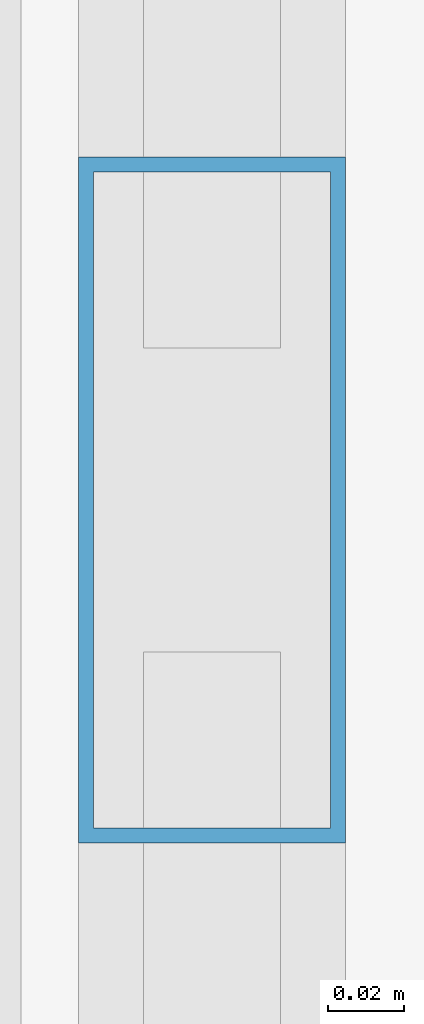
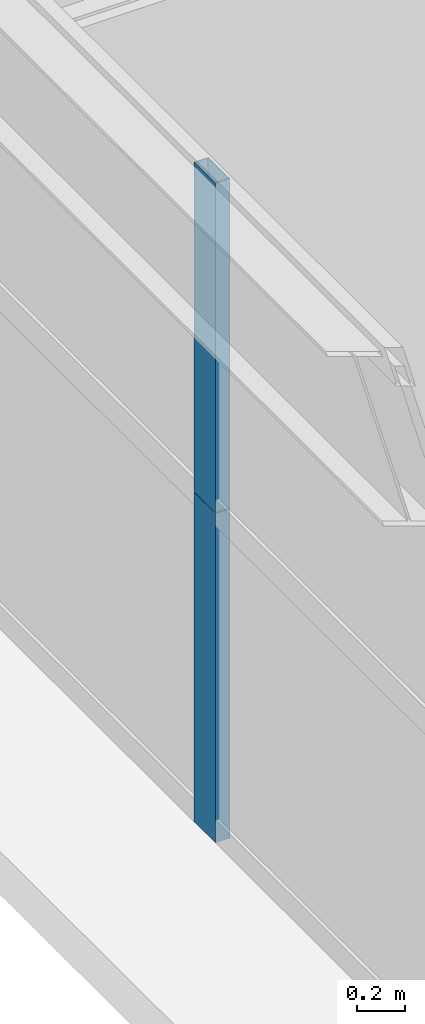
# One storey, part 10 of 41: 2 members, 1 element without a shape of its own.
"""IFC4 building model written with IfcOpenShell, lengths in metres."""

from ifc_helpers import new_model, si_unit, direction, frame, origin, origin_2d, place, context, subcontext, project, spatial, hollow_rectangle, extrude, source, transform, mapped, material, layer, layer_set, material_profile, profile_set, type_object, element, aggregate, save


model = new_model("IFC4")

# Units and contexts
model_context = context("Model", 3, precision=1e-05, world=origin(), true_north=direction((0.0, 1.0)))
body_context = subcontext(model_context, "Body", "Model", "MODEL_VIEW")
ifc_project = project(units=[si_unit("LENGTHUNIT", "METRE"), si_unit("AREAUNIT", "SQUARE_METRE"), si_unit("VOLUMEUNIT", "CUBIC_METRE"), si_unit("PLANEANGLEUNIT", "RADIAN"), si_unit("MASSUNIT", "GRAM", prefix="KILO"), si_unit("THERMODYNAMICTEMPERATUREUNIT", "KELVIN"), si_unit("POWERUNIT", "WATT")], contexts=[model_context])

# Site, building, storey
site_placement = place(None, origin())
site = spatial("IfcSite", under=ifc_project, at=site_placement, CompositionType="ELEMENT")
building_placement = place(site_placement, origin())
building = spatial("IfcBuilding", under=site, at=building_placement, Name="Yuzanri Waterfront Tower", CompositionType="ELEMENT")
storey_placement = place(building_placement, frame((0.0, 0.0, 122.60009765625)))
storey = spatial("IfcBuildingStorey", under=building, at=storey_placement, Name="L32", CompositionType="ELEMENT", Elevation=122.60009765625)

# Curtain wall, members
ifc_material_1 = material(Name="Anodized Architectural Bronze", Category="metal")
ifc_layer = layer(ifc_material_1, 0.159912109375)
ifc_layer_set = layer_set([ifc_layer], Name="Anodized Architectural Bronze")
curtain_wall_type = type_object("IfcCurtainWallType", Name="Anodized Bronze Hotel Upper-Tier Solar-Control Unitized Curtain Wall 7800", PredefinedType="NOTDEFINED", material=ifc_layer_set)
curtain_wall_placement = place(storey_placement, origin())
curtain_wall = element("IfcCurtainWall", 1, at=curtain_wall_placement, inside=storey, type_object=curtain_wall_type, Name="L32 Curtain Wall CW-L32-WL", PredefinedType="NOTDEFINED")
ifc_material_2 = material(Name="Anodized Architectural Bronze", Category="metal")
ifc_material_profile = material_profile(ifc_material_2, hollow_rectangle(XDim=0.070068359375, YDim=0.179931640625, WallThickness=0.00390625, at=origin_2d()), Name="CWM 70x180")
ifc_profile_set = profile_set([ifc_material_profile], Name="Anodized Architectural Bronze")
member_type = type_object("IfcMemberType", Name="Anodized Bronze Standard Curtain-Wall Mullion 70x180", PredefinedType="MULLION", material=ifc_profile_set)
shared_shape = source(origin(), body_context, "Body", "SweptSolid", [
    extrude(hollow_rectangle(XDim=0.070068359375, YDim=0.179931640625, WallThickness=0.00390625, at=origin_2d()), origin(), (0.0, 0.0, 1.0), 1.68798828125),
])
member_1_placement = place(storey_placement, frame((13.550048828125, 17.449951171875, 0.0), z_axis=(0.0, 0.0, 1.0), x_axis=(1.0, 0.0, 0.0)))
member_1 = element("IfcMember", 2, at=member_1_placement, type_object=member_type, Name="CW-L32-WL Lower Mullion 01", PredefinedType="MULLION", context=body_context, shape_type="MappedRepresentation", body=[
    mapped(shared_shape, transform((0.0, 0.0, 0.0), scale=1.0)),
])
member_2_placement = place(storey_placement, frame((13.550048828125, 17.449951171875, 1.69189453125), z_axis=(0.0, 0.0, 1.0), x_axis=(1.0, 0.0, 0.0)))
member_2 = element("IfcMember", 3, at=member_2_placement, type_object=member_type, Name="CW-L32-WL Upper Mullion 01", PredefinedType="MULLION", context=body_context, shape_type="MappedRepresentation", body=[
    mapped(shared_shape, transform((0.0, 0.0, 0.0), scale=1.0)),
])
aggregate(curtain_wall, [member_1, member_2])

save(model, "model.ifc")
